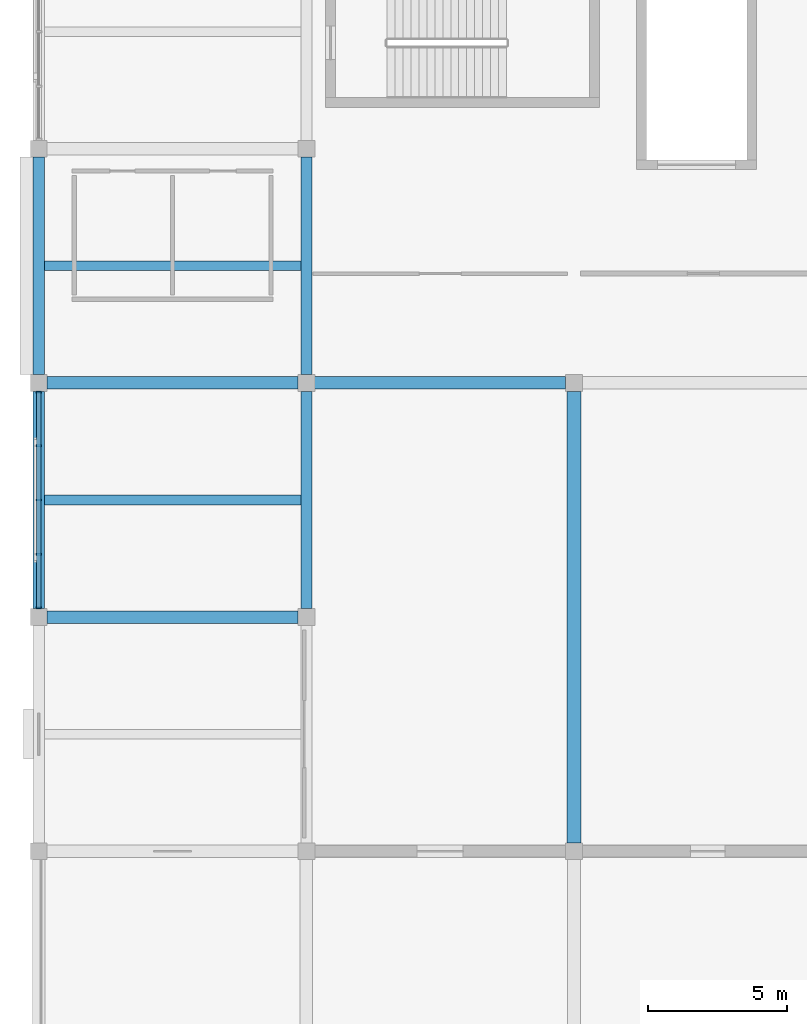
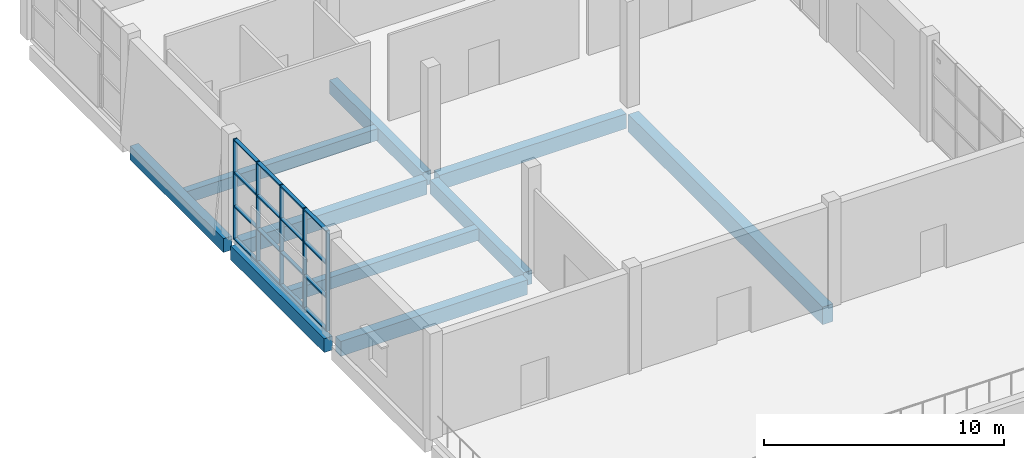
# One storey, part 16 of 72: 10 beams, 9 members, 1 element without a shape of its own.
"""IFC4 building model written with IfcOpenShell, lengths in metres."""

from ifc_helpers import new_model, si_unit, direction, frame, origin, origin_2d, place, context, subcontext, project, spatial, rectangle, extrude, material, material_profile, profile_set, type_object, element, aggregate, save


model = new_model("IFC4")

# Units and contexts
model_context = context("Model", 3, precision=1e-05, world=origin(), true_north=direction((0.0, 1.0)))
body_context = subcontext(model_context, "Body", "Model", "MODEL_VIEW")
ifc_project = project(units=[si_unit("LENGTHUNIT", "METRE"), si_unit("AREAUNIT", "SQUARE_METRE"), si_unit("VOLUMEUNIT", "CUBIC_METRE"), si_unit("PLANEANGLEUNIT", "RADIAN"), si_unit("MASSUNIT", "GRAM", prefix="KILO")], contexts=[model_context])

# Site, building, storey
site_placement = place(None, origin())
site = spatial("IfcSite", under=ifc_project, at=site_placement, CompositionType="ELEMENT")
building_placement = place(site_placement, origin())
building = spatial("IfcBuilding", under=site, at=building_placement, Name="Shalvenor Court Art Gallery", CompositionType="ELEMENT")
storey_placement = place(building_placement, frame((0.0, 0.0, 11.39990234375)))
storey = spatial("IfcBuildingStorey", under=building, at=storey_placement, Name="L02", CompositionType="ELEMENT", Elevation=11.39990234375)

# Beams
ifc_material_1 = material(Name="Concrete C40/50", Category="concrete")
ifc_material_profile_1 = material_profile(ifc_material_1, rectangle(XDim=0.5, YDim=0.89990234375, at=origin_2d()), Name="RC 500x900")
ifc_profile_set_1 = profile_set([ifc_material_profile_1], Name="Concrete C40/50")
beam_type_1 = type_object("IfcBeamType", Name="B-01", PredefinedType="BEAM", material=ifc_profile_set_1)
beam_placement = place(storey_placement, frame((19.199951171875, 89.10009765625, -0.77001953125), z_axis=(0.0, 1.0, 0.0), x_axis=(-1.0, 0.0, 0.0)))
element("IfcBeam", 1, at=beam_placement, inside=storey, type_object=beam_type_1, Name="L02 Girder BM-L02-B-01-0706", PredefinedType="BEAM", context=body_context, shape_type="SweptSolid", body=[
    extrude(rectangle(XDim=0.5, YDim=0.89990234375, at=origin_2d()), origin(), (0.0, 0.0, 1.0), 16.199951171875),
])
ifc_material_2 = material(Name="Concrete C40/50", Category="concrete")
ifc_material_profile_2 = material_profile(ifc_material_2, rectangle(XDim=0.449951171875, YDim=0.75, at=origin_2d()), Name="RC 450x750")
ifc_profile_set_2 = profile_set([ifc_material_profile_2], Name="Concrete C40/50")
beam_type_2 = type_object("IfcBeamType", Name="B-04", PredefinedType="BEAM", material=ifc_profile_set_2)
for number, where, z_axis, x_axis, name in (
    (2, (0.300048828125, 97.199951171875, -0.69482421875), (1.0, 0.0, 0.0), (0.0, 1.0, 0.0), "L02 Girder BM-L02-B-04-0871"),
    (3, (0.300048828125, 105.60009765625, -0.69482421875), (1.0, 0.0, 0.0), (0.0, 1.0, 0.0), "L02 Girder BM-L02-B-04-0884"),
    (4, (9.89990234375, 105.60009765625, -0.69482421875), (1.0, 0.0, 0.0), (0.0, 1.0, 0.0), "L02 Girder BM-L02-B-04-0885"),
):
    element("IfcBeam", number, at=place(storey_placement, frame(where, z_axis=z_axis, x_axis=x_axis)), inside=storey, type_object=beam_type_2, Name=name, PredefinedType="BEAM", context=body_context, shape_type="SweptSolid", body=[
        extrude(rectangle(XDim=0.449951171875, YDim=0.75, at=origin_2d()), origin(), (0.0, 0.0, 1.0), 9.0),
    ])
ifc_material_3 = material(Name="Concrete C40/50", Category="concrete")
ifc_material_profile_3 = material_profile(ifc_material_3, rectangle(XDim=0.39990234375, YDim=0.699951171875, at=origin_2d()), Name="RC 400x700")
ifc_profile_set_3 = profile_set([ifc_material_profile_3], Name="Concrete C40/50")
beam_type_3 = type_object("IfcBeamType", Name="B-05", PredefinedType="BEAM", material=ifc_profile_set_3)
for number, where, z_axis, x_axis, name in (
    (5, (0.0, 97.5, -0.669921875), (0.0, 1.0, 0.0), (-1.0, 0.0, 0.0), "L02 Girder BM-L02-B-05-0692"),
    (6, (0.0, 105.89990234375, -0.669921875), (0.0, 1.0, 0.0), (-1.0, 0.0, 0.0), "L02 Girder BM-L02-B-05-0693"),
    (7, (9.60009765625, 97.5, -0.669921875), (0.0, 1.0, 0.0), (-1.0, 0.0, 0.0), "L02 Girder BM-L02-B-05-0699"),
    (8, (9.60009765625, 105.89990234375, -0.669921875), (0.0, 1.0, 0.0), (-1.0, 0.0, 0.0), "L02 Girder BM-L02-B-05-0700"),
):
    element("IfcBeam", number, at=place(storey_placement, frame(where, z_axis=z_axis, x_axis=x_axis)), inside=storey, type_object=beam_type_3, Name=name, PredefinedType="BEAM", context=body_context, shape_type="SweptSolid", body=[
        extrude(rectangle(XDim=0.39990234375, YDim=0.699951171875, at=origin_2d()), origin(), (0.0, 0.0, 1.0), 7.800048828125),
    ])

# Curtain wall, members
ifc_material_4 = material(Name="Anodised aluminium and low-iron glass curtain wall", Category="aluminium")
curtain_wall_type = type_object("IfcCurtainWallType", Name="CW-4x3-78-51-121", PredefinedType="USERDEFINED", material=ifc_material_4)
curtain_wall_placement = place(storey_placement, origin())
curtain_wall = element("IfcCurtainWall", 9, at=curtain_wall_placement, inside=storey, type_object=curtain_wall_type, Name="L02 V5 Curtain Wall CW-L02-184", ObjectType="CURTAIN WALL", PredefinedType="USERDEFINED")
ifc_material_5 = material(Name="Anodised aluminium mullion", Category="aluminium")
ifc_material_profile_4 = material_profile(ifc_material_5, rectangle(XDim=0.06494140625, YDim=0.179931640625, at=origin_2d()), Name="CWM-01")
ifc_profile_set_4 = profile_set([ifc_material_profile_4], Name="Anodised aluminium mullion")
member_type_1 = type_object("IfcMemberType", Name="CWM-01", PredefinedType="MULLION", material=ifc_profile_set_4)
member_1_placement = place(storey_placement, frame((0.0, 97.532470703125, 0.0), z_axis=(0.0, 0.0, 1.0), x_axis=(0.0, 1.0, 0.0)))
member_1 = element("IfcMember", 10, at=member_1_placement, type_object=member_type_1, Name="CW-4x3-78-51-121 mullion 1", PredefinedType="MULLION", context=body_context, shape_type="SweptSolid", body=[
    extrude(rectangle(XDim=0.06494140625, YDim=0.179931640625, at=origin_2d()), origin(), (0.0, 0.0, 1.0), 5.10009765625),
])
member_2_placement = place(storey_placement, frame((0.0, 99.449951171875, 0.0), z_axis=(0.0, 0.0, 1.0), x_axis=(0.0, 1.0, 0.0)))
member_2 = element("IfcMember", 11, at=member_2_placement, type_object=member_type_1, Name="CW-4x3-78-51-121 mullion 2", PredefinedType="MULLION", context=body_context, shape_type="SweptSolid", body=[
    extrude(rectangle(XDim=0.06494140625, YDim=0.179931640625, at=origin_2d()), origin(), (0.0, 0.0, 1.0), 5.10009765625),
])
member_3_placement = place(storey_placement, frame((0.0, 101.39990234375, 0.0), z_axis=(0.0, 0.0, 1.0), x_axis=(0.0, 1.0, 0.0)))
member_3 = element("IfcMember", 12, at=member_3_placement, type_object=member_type_1, Name="CW-4x3-78-51-121 mullion 3", PredefinedType="MULLION", context=body_context, shape_type="SweptSolid", body=[
    extrude(rectangle(XDim=0.06494140625, YDim=0.179931640625, at=origin_2d()), origin(), (0.0, 0.0, 1.0), 5.10009765625),
])
member_4_placement = place(storey_placement, frame((0.0, 103.35009765625, 0.0), z_axis=(0.0, 0.0, 1.0), x_axis=(0.0, 1.0, 0.0)))
member_4 = element("IfcMember", 13, at=member_4_placement, type_object=member_type_1, Name="CW-4x3-78-51-121 mullion 4", PredefinedType="MULLION", context=body_context, shape_type="SweptSolid", body=[
    extrude(rectangle(XDim=0.06494140625, YDim=0.179931640625, at=origin_2d()), origin(), (0.0, 0.0, 1.0), 5.10009765625),
])
member_5_placement = place(storey_placement, frame((0.0, 105.267578125, 0.0), z_axis=(0.0, 0.0, 1.0), x_axis=(0.0, 1.0, 0.0)))
member_5 = element("IfcMember", 14, at=member_5_placement, type_object=member_type_1, Name="CW-4x3-78-51-121 mullion 5", PredefinedType="MULLION", context=body_context, shape_type="SweptSolid", body=[
    extrude(rectangle(XDim=0.06494140625, YDim=0.179931640625, at=origin_2d()), origin(), (0.0, 0.0, 1.0), 5.10009765625),
])
ifc_material_6 = material(Name="Anodised aluminium transom", Category="aluminium")
ifc_material_profile_5 = material_profile(ifc_material_6, rectangle(XDim=0.169921875, YDim=0.06494140625, at=origin_2d()), Name="CWT-02")
ifc_profile_set_5 = profile_set([ifc_material_profile_5], Name="Anodised aluminium transom")
member_type_2 = type_object("IfcMemberType", Name="CWT-02", PredefinedType="USERDEFINED", material=ifc_profile_set_5)
member_6_placement = place(storey_placement, frame((0.0, 97.532470703125, 0.03271484375), z_axis=(0.0, 1.0, 0.0), x_axis=(-1.0, 0.0, 0.0)))
member_6 = element("IfcMember", 15, at=member_6_placement, type_object=member_type_2, Name="CW-4x3-78-51-121 transom 1", ObjectType="TRANSOM", PredefinedType="USERDEFINED", context=body_context, shape_type="SweptSolid", body=[
    extrude(rectangle(XDim=0.169921875, YDim=0.06494140625, at=origin_2d()), origin(), (0.0, 0.0, 1.0), 7.735107421875),
])
member_7_placement = place(storey_placement, frame((0.0, 97.532470703125, 1.7001953125), z_axis=(0.0, 1.0, 0.0), x_axis=(-1.0, 0.0, 0.0)))
member_7 = element("IfcMember", 16, at=member_7_placement, type_object=member_type_2, Name="CW-4x3-78-51-121 transom 2", ObjectType="TRANSOM", PredefinedType="USERDEFINED", context=body_context, shape_type="SweptSolid", body=[
    extrude(rectangle(XDim=0.169921875, YDim=0.06494140625, at=origin_2d()), origin(), (0.0, 0.0, 1.0), 7.735107421875),
])
member_8_placement = place(storey_placement, frame((0.0, 97.532470703125, 3.400146484375), z_axis=(0.0, 1.0, 0.0), x_axis=(-1.0, 0.0, 0.0)))
member_8 = element("IfcMember", 17, at=member_8_placement, type_object=member_type_2, Name="CW-4x3-78-51-121 transom 3", ObjectType="TRANSOM", PredefinedType="USERDEFINED", context=body_context, shape_type="SweptSolid", body=[
    extrude(rectangle(XDim=0.169921875, YDim=0.06494140625, at=origin_2d()), origin(), (0.0, 0.0, 1.0), 7.735107421875),
])
member_9_placement = place(storey_placement, frame((0.0, 97.532470703125, 5.067626953125), z_axis=(0.0, 1.0, 0.0), x_axis=(-1.0, 0.0, 0.0)))
member_9 = element("IfcMember", 18, at=member_9_placement, type_object=member_type_2, Name="CW-4x3-78-51-121 transom 4", ObjectType="TRANSOM", PredefinedType="USERDEFINED", context=body_context, shape_type="SweptSolid", body=[
    extrude(rectangle(XDim=0.169921875, YDim=0.06494140625, at=origin_2d()), origin(), (0.0, 0.0, 1.0), 7.735107421875),
])
aggregate(curtain_wall, [member_1, member_2, member_3, member_4, member_5, member_6, member_7, member_8, member_9])

# Beams
ifc_material_7 = material(Name="Concrete C40/50", Category="concrete")
ifc_material_profile_6 = material_profile(ifc_material_7, rectangle(XDim=0.35009765625, YDim=0.60009765625, at=origin_2d()), Name="RC 350x600")
ifc_profile_set_6 = profile_set([ifc_material_profile_6], Name="Concrete C40/50")
beam_type_4 = type_object("IfcBeamType", Name="J-01", PredefinedType="JOIST", material=ifc_profile_set_6)
for number, where, z_axis, x_axis, name in (
    (19, (0.199951171875, 101.39990234375, -0.619873046875), (1.0, 0.0, 0.0), (0.0, 1.0, 0.0), "L02 Secondary Beam JST-L02-J-01-0915"),
    (20, (0.199951171875, 109.800048828125, -0.619873046875), (1.0, 0.0, 0.0), (0.0, 1.0, 0.0), "L02 Secondary Beam JST-L02-J-01-0916"),
):
    element("IfcBeam", number, at=place(storey_placement, frame(where, z_axis=z_axis, x_axis=x_axis)), inside=storey, type_object=beam_type_4, Name=name, PredefinedType="JOIST", context=body_context, shape_type="SweptSolid", body=[
        extrude(rectangle(XDim=0.35009765625, YDim=0.60009765625, at=origin_2d()), origin(), (0.0, 0.0, 1.0), 9.199951171875),
    ])

save(model, "model.ifc")
